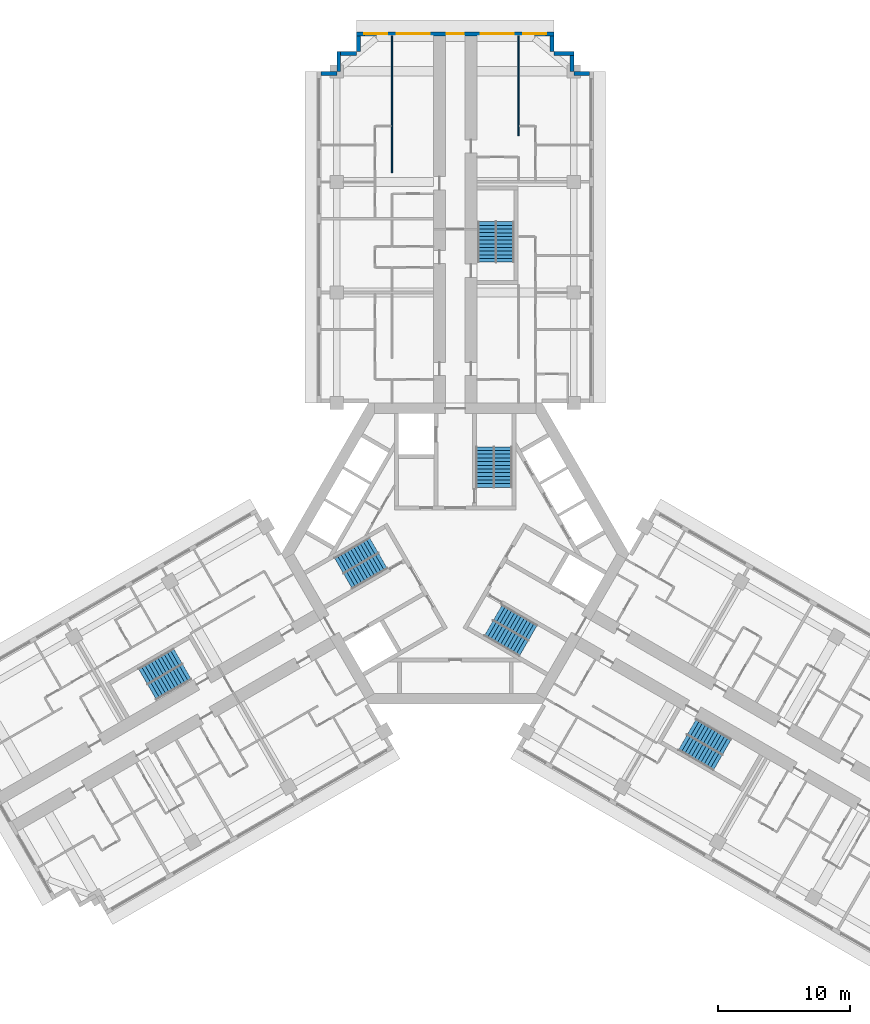
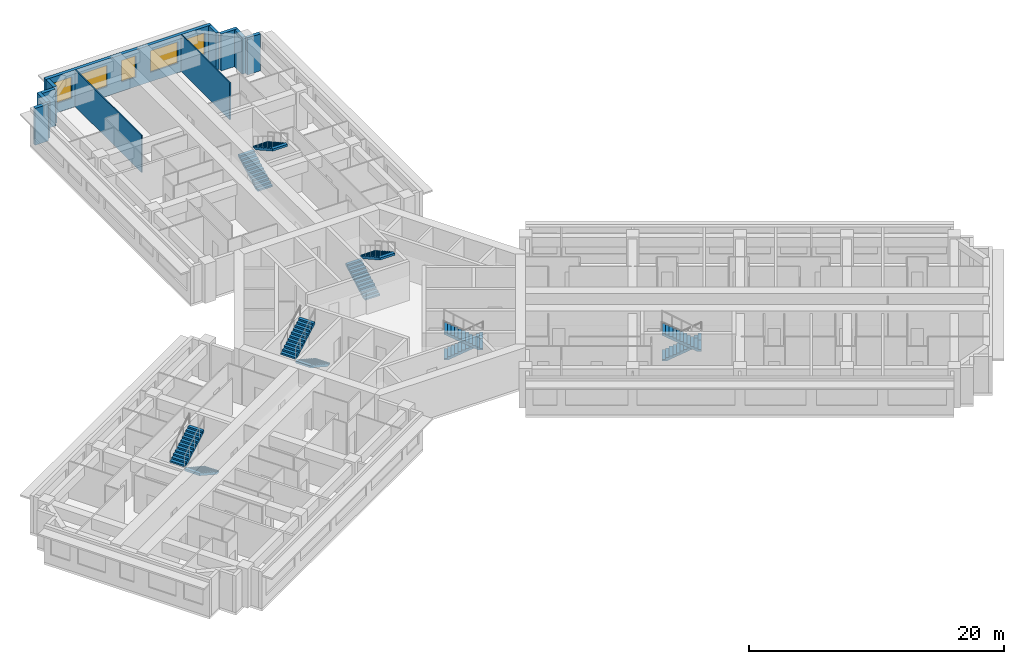
# One storey, part 12 of 13: 12 stair flights, 11 walls, 5 windows, 5 openings, 6 elements without a shape of their own.
"""IFC4 building model written with IfcOpenShell, lengths in metres."""

from ifc_helpers import new_model, si_unit, direction, frame, frame_2d, origin, place, context, subcontext, project, spatial, polyline, rectangle, outline, extrude, material, layer, layer_set, type_object, element, fill, aggregate, save


model = new_model("IFC4")

# Units and contexts
model_context = context("Model", 3, precision=1e-05, world=origin(), true_north=direction((0.0, 1.0)))
body_context = subcontext(model_context, "Body", "Model", "MODEL_VIEW")
ifc_project = project(units=[si_unit("LENGTHUNIT", "METRE"), si_unit("AREAUNIT", "SQUARE_METRE"), si_unit("VOLUMEUNIT", "CUBIC_METRE"), si_unit("PLANEANGLEUNIT", "RADIAN"), si_unit("MASSUNIT", "GRAM", prefix="KILO")], contexts=[model_context])

# Site, building, storey
site_placement = place(None, origin())
site = spatial("IfcSite", under=ifc_project, at=site_placement, CompositionType="ELEMENT")
building_placement = place(site_placement, origin())
building = spatial("IfcBuilding", under=site, at=building_placement, Name="Impinga Residences", CompositionType="ELEMENT")
storey_placement = place(building_placement, frame((0.0, 0.0, 136.0)))
storey = spatial("IfcBuildingStorey", under=building, at=storey_placement, Name="L33", CompositionType="ELEMENT", Elevation=136.0)

# Walls
ifc_material_1 = material(Name="Terracotta rainscreen on blockwork", Category="masonry")
ifc_layer_1 = layer(ifc_material_1, 0.300048828125)
ifc_layer_set_1 = layer_set([ifc_layer_1], Name="EW1 external wall, terracotta rainscreen on blockwork 300")
wall_type_1 = type_object("IfcWallType", Name="EW1 external wall, terracotta rainscreen on blockwork 300", PredefinedType="SOLIDWALL", material=ifc_layer_set_1)
wall_1_placement = place(storey_placement, frame((-10.199951171875, 36.4814453125, 0.0), z_axis=(0.0, 0.0, 1.0), x_axis=(1.0, 0.0, 0.0)))
element("IfcWall", 1, at=wall_1_placement, inside=storey, type_object=wall_type_1, Name="External wall EW1 L33", PredefinedType="SOLIDWALL", context=body_context, shape_type="SweptSolid", body=[
    extrude(rectangle(XDim=1.199951171875, YDim=0.300048828125, at=frame_2d((0.60009765625, 0.0))), origin(), (0.0, 0.0, 1.0), 3.530029296875),
])
wall_2_placement = place(storey_placement, frame((-8.85009765625, 36.636474609375, 0.0), z_axis=(0.0, 0.0, 1.0), x_axis=(0.0, 1.0, 0.0)))
element("IfcWall", 2, at=wall_2_placement, inside=storey, type_object=wall_type_1, Name="External wall EW1 L33", PredefinedType="SOLIDWALL", context=body_context, shape_type="SweptSolid", body=[
    extrude(rectangle(XDim=1.4951171875, YDim=0.300048828125, at=frame_2d((0.74755859375, 0.0))), origin(), (0.0, 0.0, 1.0), 3.530029296875),
])
wall_3_placement = place(storey_placement, frame((-8.699951171875, 37.9814453125, 0.0), z_axis=(0.0, 0.0, 1.0), x_axis=(1.0, 0.0, 0.0)))
element("IfcWall", 3, at=wall_3_placement, inside=storey, type_object=wall_type_1, Name="External wall EW1 L33", PredefinedType="SOLIDWALL", context=body_context, shape_type="SweptSolid", body=[
    extrude(rectangle(XDim=1.199951171875, YDim=0.300048828125, at=frame_2d((0.60009765625, 0.0))), origin(), (0.0, 0.0, 1.0), 3.530029296875),
])
wall_4_placement = place(storey_placement, frame((-7.35009765625, 38.136474609375, 0.0), z_axis=(0.0, 0.0, 1.0), x_axis=(0.0, 1.0, 0.0)))
element("IfcWall", 4, at=wall_4_placement, inside=storey, type_object=wall_type_1, Name="External wall EW1 L33", PredefinedType="SOLIDWALL", context=body_context, shape_type="SweptSolid", body=[
    extrude(rectangle(XDim=1.195068359375, YDim=0.300048828125, at=frame_2d((0.59765625, 0.0))), origin(), (0.0, 0.0, 1.0), 3.530029296875),
])

# Wall, openings, windows
wall_5_placement = place(storey_placement, frame((-7.5, 39.4814453125, 0.0), z_axis=(0.0, 0.0, 1.0), x_axis=(1.0, 0.0, 0.0)))
wall_5 = element("IfcWall", 5, at=wall_5_placement, inside=storey, type_object=wall_type_1, Name="External wall EW1 L33", PredefinedType="SOLIDWALL", context=body_context, shape_type="SweptSolid", body=[
    extrude(rectangle(XDim=15.0, YDim=0.300048828125, at=frame_2d((7.5, 0.0))), origin(), (0.0, 0.0, 1.0), 3.530029296875),
])
opening_1_placement = place(wall_5_placement, frame((0.60009765625, 0.0, 0.89990234375)))
opening_1 = element("IfcOpeningElement", 6, at=opening_1_placement, cuts=wall_5, Name="Opening W1", PredefinedType="OPENING", context=body_context, shape_type="SweptSolid", body=[
    extrude(rectangle(XDim=1.75, YDim=2.050048828125, at=frame_2d((0.875, 1.02490234375))), frame((0.0, 0.159912109375, 0.0), z_axis=(0.0, -1.0, 0.0), x_axis=(1.0, 0.0, 0.0)), (0.0, 0.0, 1.0), 0.320068359375),
])
opening_2_placement = place(wall_5_placement, frame((3.050048828125, 0.0, 0.89990234375)))
opening_2 = element("IfcOpeningElement", 7, at=opening_2_placement, cuts=wall_5, Name="Opening W2", PredefinedType="OPENING", context=body_context, shape_type="SweptSolid", body=[
    extrude(rectangle(XDim=2.5, YDim=2.050048828125, at=frame_2d((1.25, 1.02490234375))), frame((0.0, 0.159912109375, 0.0), z_axis=(0.0, -1.0, 0.0), x_axis=(1.0, 0.0, 0.0)), (0.0, 0.0, 1.0), 0.320068359375),
])
opening_3_placement = place(wall_5_placement, frame((6.85009765625, 0.0, 0.89990234375)))
opening_3 = element("IfcOpeningElement", 8, at=opening_3_placement, cuts=wall_5, Name="Opening W17", PredefinedType="OPENING", context=body_context, shape_type="SweptSolid", body=[
    extrude(rectangle(XDim=1.300048828125, YDim=2.050048828125, at=frame_2d((0.64990234375, 1.02490234375))), frame((0.0, 0.159912109375, 0.0), z_axis=(0.0, -1.0, 0.0), x_axis=(1.0, 0.0, 0.0)), (0.0, 0.0, 1.0), 0.320068359375),
])
opening_4_placement = place(wall_5_placement, frame((9.449951171875, 0.0, 0.89990234375)))
opening_4 = element("IfcOpeningElement", 9, at=opening_4_placement, cuts=wall_5, Name="Opening W2", PredefinedType="OPENING", context=body_context, shape_type="SweptSolid", body=[
    extrude(rectangle(XDim=2.5, YDim=2.050048828125, at=frame_2d((1.25, 1.02490234375))), frame((0.0, 0.159912109375, 0.0), z_axis=(0.0, -1.0, 0.0), x_axis=(1.0, 0.0, 0.0)), (0.0, 0.0, 1.0), 0.320068359375),
])
opening_5_placement = place(wall_5_placement, frame((12.64990234375, 0.0, 0.89990234375)))
opening_5 = element("IfcOpeningElement", 10, at=opening_5_placement, cuts=wall_5, Name="Opening W1", PredefinedType="OPENING", context=body_context, shape_type="SweptSolid", body=[
    extrude(rectangle(XDim=1.75, YDim=2.050048828125, at=frame_2d((0.875, 1.02490234375))), frame((0.0, 0.159912109375, 0.0), z_axis=(0.0, -1.0, 0.0), x_axis=(1.0, 0.0, 0.0)), (0.0, 0.0, 1.0), 0.320068359375),
])
ifc_material_2 = material(Name="Aluminium window, clear double glazing", Category="aluminium")
window_type_1 = type_object("IfcWindowType", Name="W1 ribbon window 1750x2050", PartitioningType="SINGLE_PANEL", PredefinedType="WINDOW", material=ifc_material_2)
window_1_placement = place(opening_1_placement, origin())
window_1 = element("IfcWindow", 11, at=window_1_placement, inside=storey, type_object=window_type_1, Name="Window L33", OverallHeight=2.050048828125, OverallWidth=1.75, PartitioningType="SINGLE_PANEL", PredefinedType="WINDOW", context=body_context, shape_type="SweptSolid", body=[
    extrude(rectangle(XDim=1.75, YDim=2.050048828125, at=frame_2d((0.875, 1.02490234375))), frame((0.0, 0.030029296875, 0.0), z_axis=(0.0, -1.0, 0.0), x_axis=(1.0, 0.0, 0.0)), (0.0, 0.0, 1.0), 0.06005859375),
])
fill(opening_1, window_1)
window_2_placement = place(opening_5_placement, origin())
window_2 = element("IfcWindow", 12, at=window_2_placement, inside=storey, type_object=window_type_1, Name="Window L33", OverallHeight=2.050048828125, OverallWidth=1.75, PartitioningType="SINGLE_PANEL", PredefinedType="WINDOW", context=body_context, shape_type="SweptSolid", body=[
    extrude(rectangle(XDim=1.75, YDim=2.050048828125, at=frame_2d((0.875, 1.02490234375))), frame((0.0, 0.030029296875, 0.0), z_axis=(0.0, -1.0, 0.0), x_axis=(1.0, 0.0, 0.0)), (0.0, 0.0, 1.0), 0.06005859375),
])
fill(opening_5, window_2)
window_type_2 = type_object("IfcWindowType", Name="W17 ribbon window 1300x2050", PartitioningType="SINGLE_PANEL", PredefinedType="WINDOW", material=ifc_material_2)
window_3_placement = place(opening_3_placement, origin())
window_3 = element("IfcWindow", 13, at=window_3_placement, inside=storey, type_object=window_type_2, Name="Window L33", OverallHeight=2.050048828125, OverallWidth=1.300048828125, PartitioningType="SINGLE_PANEL", PredefinedType="WINDOW", context=body_context, shape_type="SweptSolid", body=[
    extrude(rectangle(XDim=1.300048828125, YDim=2.050048828125, at=frame_2d((0.64990234375, 1.02490234375))), frame((0.0, 0.030029296875, 0.0), z_axis=(0.0, -1.0, 0.0), x_axis=(1.0, 0.0, 0.0)), (0.0, 0.0, 1.0), 0.06005859375),
])
fill(opening_3, window_3)
window_type_3 = type_object("IfcWindowType", Name="W2 ribbon window 2500x2050", PartitioningType="SINGLE_PANEL", PredefinedType="WINDOW", material=ifc_material_2)
window_4_placement = place(opening_2_placement, origin())
window_4 = element("IfcWindow", 14, at=window_4_placement, inside=storey, type_object=window_type_3, Name="Window L33", OverallHeight=2.050048828125, OverallWidth=2.5, PartitioningType="SINGLE_PANEL", PredefinedType="WINDOW", context=body_context, shape_type="SweptSolid", body=[
    extrude(rectangle(XDim=2.5, YDim=2.050048828125, at=frame_2d((1.25, 1.02490234375))), frame((0.0, 0.030029296875, 0.0), z_axis=(0.0, -1.0, 0.0), x_axis=(1.0, 0.0, 0.0)), (0.0, 0.0, 1.0), 0.06005859375),
])
fill(opening_2, window_4)
window_5_placement = place(opening_4_placement, origin())
window_5 = element("IfcWindow", 15, at=window_5_placement, inside=storey, type_object=window_type_3, Name="Window L33", OverallHeight=2.050048828125, OverallWidth=2.5, PartitioningType="SINGLE_PANEL", PredefinedType="WINDOW", context=body_context, shape_type="SweptSolid", body=[
    extrude(rectangle(XDim=2.5, YDim=2.050048828125, at=frame_2d((1.25, 1.02490234375))), frame((0.0, 0.030029296875, 0.0), z_axis=(0.0, -1.0, 0.0), x_axis=(1.0, 0.0, 0.0)), (0.0, 0.0, 1.0), 0.06005859375),
])
fill(opening_4, window_5)

# Walls
wall_6_placement = place(storey_placement, frame((7.35009765625, 39.33154296875, 0.0), z_axis=(0.0, 0.0, 1.0), x_axis=(0.0, -1.0, 0.0)))
element("IfcWall", 16, at=wall_6_placement, inside=storey, type_object=wall_type_1, Name="External wall EW1 L33", PredefinedType="SOLIDWALL", context=body_context, shape_type="SweptSolid", body=[
    extrude(rectangle(XDim=1.195068359375, YDim=0.300048828125, at=frame_2d((0.59765625, 0.0))), origin(), (0.0, 0.0, 1.0), 3.530029296875),
])
wall_7_placement = place(storey_placement, frame((7.5, 37.9814453125, 0.0), z_axis=(0.0, 0.0, 1.0), x_axis=(1.0, 0.0, 0.0)))
element("IfcWall", 17, at=wall_7_placement, inside=storey, type_object=wall_type_1, Name="External wall EW1 L33", PredefinedType="SOLIDWALL", context=body_context, shape_type="SweptSolid", body=[
    extrude(rectangle(XDim=1.5, YDim=0.300048828125, at=frame_2d((0.75, 0.0))), origin(), (0.0, 0.0, 1.0), 3.530029296875),
])
wall_8_placement = place(storey_placement, frame((8.85009765625, 37.83154296875, 0.0), z_axis=(0.0, 0.0, 1.0), x_axis=(0.0, -1.0, 0.0)))
element("IfcWall", 18, at=wall_8_placement, inside=storey, type_object=wall_type_1, Name="External wall EW1 L33", PredefinedType="SOLIDWALL", context=body_context, shape_type="SweptSolid", body=[
    extrude(rectangle(XDim=1.199951171875, YDim=0.300048828125, at=frame_2d((0.60009765625, 0.0))), origin(), (0.0, 0.0, 1.0), 3.530029296875),
])
wall_9_placement = place(storey_placement, frame((9.0048828125, 36.4814453125, 0.0), z_axis=(0.0, 0.0, 1.0), x_axis=(1.0, 0.0, 0.0)))
element("IfcWall", 19, at=wall_9_placement, inside=storey, type_object=wall_type_1, Name="External wall EW1 L33", PredefinedType="SOLIDWALL", context=body_context, shape_type="SweptSolid", body=[
    extrude(rectangle(XDim=1.195068359375, YDim=0.300048828125, at=frame_2d((0.59765625, 0.0))), origin(), (0.0, 0.0, 1.0), 3.530029296875),
])
ifc_material_3 = material(Name="Gypsum board on steel studs", Category="steel")
ifc_layer_2 = layer(ifc_material_3, 0.10009765625)
ifc_layer_set_2 = layer_set([ifc_layer_2], Name="Gypsum board on steel studs")
wall_type_2 = type_object("IfcWallType", Name="IP1 partition 100", PredefinedType="PARTITIONING", material=ifc_layer_set_2)
wall_10_placement = place(storey_placement, frame((-4.800048828125, 28.931640625, 0.0), z_axis=(0.0, 0.0, 1.0), x_axis=(0.0, 1.0, 0.0)))
element("IfcWall", 20, at=wall_10_placement, inside=storey, type_object=wall_type_2, Name="Partition L33-NA3:DIV1", PredefinedType="PARTITIONING", context=body_context, shape_type="SweptSolid", body=[
    extrude(rectangle(XDim=10.39990234375, YDim=0.10009765625, at=frame_2d((5.199951171875, 0.0))), origin(), (0.0, 0.0, 1.0), 3.530029296875),
])
wall_11_placement = place(storey_placement, frame((4.800048828125, 31.7314453125, 0.0), z_axis=(0.0, 0.0, 1.0), x_axis=(0.0, 1.0, 0.0)))
element("IfcWall", 21, at=wall_11_placement, inside=storey, type_object=wall_type_2, Name="Partition L33-NF2:DIV1", PredefinedType="PARTITIONING", context=body_context, shape_type="SweptSolid", body=[
    extrude(rectangle(XDim=7.60009765625, YDim=0.10009765625, at=frame_2d((3.800048828125, 0.0))), origin(), (0.0, 0.0, 1.0), 3.530029296875),
])

# Stair, stair flights
ifc_material_4 = material(Name="Concrete C40/50", Category="concrete")
stair_type_1 = type_object("IfcStairType", Name="STR core stair 3750 storey, 24 risers", PredefinedType="HALF_TURN_STAIR", material=ifc_material_4)
stair_1_placement = place(storey_placement, origin())
stair_1 = element("IfcStair", 22, at=stair_1_placement, inside=storey, type_object=stair_type_1, Name="Stair ST1 L33", PredefinedType="HALF_TURN_STAIR")
stair_flight_type = type_object("IfcStairFlightType", Name="SF 12 risers of 156", PredefinedType="STRAIGHT", material=ifc_material_4)
stair_flight_1_placement = place(storey_placement, frame((2.27490234375, 5.030029296875, 0.0), z_axis=(0.0, 0.0, 1.0), x_axis=(0.0, 1.0, 0.0)))
stair_flight_1 = element("IfcStairFlight", 23, at=stair_flight_1_placement, type_object=stair_flight_type, Name="ST1 flight 1", NumberOfRisers=12, NumberOfTreads=11, PredefinedType="STRAIGHT", RiserHeight=0.15625, TreadLength=0.28, context=body_context, shape_type="SweptSolid", body=[
    extrude(outline(polyline([(0.0, 0.0), (0.0, 0.15625), (0.280029296875, 0.15625), (0.280029296875, 0.3125), (0.56005859375, 0.3125), (0.56005859375, 0.46875), (0.840087890625, 0.46875), (0.840087890625, 0.625), (1.1201171875, 0.625), (1.1201171875, 0.78125), (1.39990234375, 0.78125), (1.39990234375, 0.9375), (1.679931640625, 0.9375), (1.679931640625, 1.09375), (1.9599609375, 1.09375), (1.9599609375, 1.25), (2.239990234375, 1.25), (2.239990234375, 1.40625), (2.52001953125, 1.40625), (2.52001953125, 1.5625), (2.800048828125, 1.5625), (2.800048828125, 1.71875), (3.080078125, 1.71875), (3.080078125, 1.875), (3.080078125, 1.5126953125), (0.369140625, 0.0), (0.0, 0.0)])), frame((0.0, 0.675048828125, 0.0), z_axis=(0.0, -1.0, 0.0), x_axis=(1.0, 0.0, 0.0)), (0.0, 0.0, 1.0), 1.35009765625),
])
stair_flight_2_placement = place(storey_placement, frame((3.625, 8.110107421875, 1.875), z_axis=(0.0, 0.0, 1.0), x_axis=(0.0, -1.0, 0.0)))
stair_flight_2 = element("IfcStairFlight", 24, at=stair_flight_2_placement, type_object=stair_flight_type, Name="ST1 flight 2", NumberOfRisers=12, NumberOfTreads=11, PredefinedType="STRAIGHT", RiserHeight=0.15625, TreadLength=0.28, context=body_context, shape_type="SweptSolid", body=[
    extrude(outline(polyline([(0.0, 0.0), (0.0, 0.15625), (0.280029296875, 0.15625), (0.280029296875, 0.3125), (0.56005859375, 0.3125), (0.56005859375, 0.46875), (0.840087890625, 0.46875), (0.840087890625, 0.625), (1.1201171875, 0.625), (1.1201171875, 0.78125), (1.39990234375, 0.78125), (1.39990234375, 0.9375), (1.679931640625, 0.9375), (1.679931640625, 1.09375), (1.9599609375, 1.09375), (1.9599609375, 1.25), (2.239990234375, 1.25), (2.239990234375, 1.40625), (2.52001953125, 1.40625), (2.52001953125, 1.5625), (2.800048828125, 1.5625), (2.800048828125, 1.71875), (3.080078125, 1.71875), (3.080078125, 1.875), (3.080078125, 1.5126953125), (0.369140625, 0.0), (0.0, 0.0)])), frame((0.0, 0.675048828125, 0.0), z_axis=(0.0, -1.0, 0.0), x_axis=(1.0, 0.0, 0.0)), (0.0, 0.0, 1.0), 1.35009765625),
])
aggregate(stair_1, [stair_flight_1, stair_flight_2])

stair_2_placement = place(storey_placement, origin())
stair_2 = element("IfcStair", 25, at=stair_2_placement, inside=storey, type_object=stair_type_1, Name="Stair ST2 L33", PredefinedType="HALF_TURN_STAIR")
stair_flight_3_placement = place(storey_placement, frame((-5.49365234375, -0.544677734375, 0.0), z_axis=(0.0, 0.0, 1.0), x_axis=(-0.866025403784, -0.5, 0.0)))
stair_flight_3 = element("IfcStairFlight", 26, at=stair_flight_3_placement, type_object=stair_flight_type, Name="ST2 flight 1", NumberOfRisers=12, NumberOfTreads=11, PredefinedType="STRAIGHT", RiserHeight=0.15625, TreadLength=0.28, context=body_context, shape_type="SweptSolid", body=[
    extrude(outline(polyline([(0.0, 0.0), (0.0, 0.15625), (0.280029296875, 0.15625), (0.280029296875, 0.3125), (0.56005859375, 0.3125), (0.56005859375, 0.46875), (0.840087890625, 0.46875), (0.840087890625, 0.625), (1.1201171875, 0.625), (1.1201171875, 0.78125), (1.39990234375, 0.78125), (1.39990234375, 0.9375), (1.679931640625, 0.9375), (1.679931640625, 1.09375), (1.9599609375, 1.09375), (1.9599609375, 1.25), (2.239990234375, 1.25), (2.239990234375, 1.40625), (2.52001953125, 1.40625), (2.52001953125, 1.5625), (2.800048828125, 1.5625), (2.800048828125, 1.71875), (3.080078125, 1.71875), (3.080078125, 1.875), (3.080078125, 1.5126953125), (0.369140625, 0.0), (0.0, 0.0)])), frame((0.0, 0.675048828125, 0.0), z_axis=(0.0, -1.0, 0.0), x_axis=(1.0, 0.0, 0.0)), (0.0, 0.0, 1.0), 1.35009765625),
])
stair_flight_4_placement = place(storey_placement, frame((-8.8359375, -0.915771484375, 1.875), z_axis=(0.0, 0.0, 1.0), x_axis=(0.866025403784, 0.5, 0.0)))
stair_flight_4 = element("IfcStairFlight", 27, at=stair_flight_4_placement, type_object=stair_flight_type, Name="ST2 flight 2", NumberOfRisers=12, NumberOfTreads=11, PredefinedType="STRAIGHT", RiserHeight=0.15625, TreadLength=0.28, context=body_context, shape_type="SweptSolid", body=[
    extrude(outline(polyline([(0.0, 0.0), (0.0, 0.15625), (0.280029296875, 0.15625), (0.280029296875, 0.3125), (0.56005859375, 0.3125), (0.56005859375, 0.46875), (0.840087890625, 0.46875), (0.840087890625, 0.625), (1.1201171875, 0.625), (1.1201171875, 0.78125), (1.39990234375, 0.78125), (1.39990234375, 0.9375), (1.679931640625, 0.9375), (1.679931640625, 1.09375), (1.9599609375, 1.09375), (1.9599609375, 1.25), (2.239990234375, 1.25), (2.239990234375, 1.40625), (2.52001953125, 1.40625), (2.52001953125, 1.5625), (2.800048828125, 1.5625), (2.800048828125, 1.71875), (3.080078125, 1.71875), (3.080078125, 1.875), (3.080078125, 1.5126953125), (0.369140625, 0.0), (0.0, 0.0)])), frame((0.0, 0.675048828125, 0.0), z_axis=(0.0, -1.0, 0.0), x_axis=(1.0, 0.0, 0.0)), (0.0, 0.0, 1.0), 1.35009765625),
])
aggregate(stair_2, [stair_flight_3, stair_flight_4])

stair_3_placement = place(storey_placement, origin())
stair_3 = element("IfcStair", 28, at=stair_3_placement, inside=storey, type_object=stair_type_1, Name="Stair ST3 L33", PredefinedType="HALF_TURN_STAIR")
stair_flight_5_placement = place(storey_placement, frame((3.218505859375, -4.485107421875, 0.0), z_axis=(0.0, 0.0, 1.0), x_axis=(0.866025403784, -0.5, 0.0)))
stair_flight_5 = element("IfcStairFlight", 29, at=stair_flight_5_placement, type_object=stair_flight_type, Name="ST3 flight 1", NumberOfRisers=12, NumberOfTreads=11, PredefinedType="STRAIGHT", RiserHeight=0.15625, TreadLength=0.28, context=body_context, shape_type="SweptSolid", body=[
    extrude(outline(polyline([(0.0, 0.0), (0.0, 0.15625), (0.280029296875, 0.15625), (0.280029296875, 0.3125), (0.56005859375, 0.3125), (0.56005859375, 0.46875), (0.840087890625, 0.46875), (0.840087890625, 0.625), (1.1201171875, 0.625), (1.1201171875, 0.78125), (1.39990234375, 0.78125), (1.39990234375, 0.9375), (1.679931640625, 0.9375), (1.679931640625, 1.09375), (1.9599609375, 1.09375), (1.9599609375, 1.25), (2.239990234375, 1.25), (2.239990234375, 1.40625), (2.52001953125, 1.40625), (2.52001953125, 1.5625), (2.800048828125, 1.5625), (2.800048828125, 1.71875), (3.080078125, 1.71875), (3.080078125, 1.875), (3.080078125, 1.5126953125), (0.369140625, 0.0), (0.0, 0.0)])), frame((0.0, 0.675048828125, 0.0), z_axis=(0.0, -1.0, 0.0), x_axis=(1.0, 0.0, 0.0)), (0.0, 0.0, 1.0), 1.35009765625),
])
stair_flight_6_placement = place(storey_placement, frame((5.2109375, -7.1943359375, 1.875), z_axis=(0.0, 0.0, 1.0), x_axis=(-0.866025403784, 0.5, 0.0)))
stair_flight_6 = element("IfcStairFlight", 30, at=stair_flight_6_placement, type_object=stair_flight_type, Name="ST3 flight 2", NumberOfRisers=12, NumberOfTreads=11, PredefinedType="STRAIGHT", RiserHeight=0.15625, TreadLength=0.28, context=body_context, shape_type="SweptSolid", body=[
    extrude(outline(polyline([(0.0, 0.0), (0.0, 0.15625), (0.280029296875, 0.15625), (0.280029296875, 0.3125), (0.56005859375, 0.3125), (0.56005859375, 0.46875), (0.840087890625, 0.46875), (0.840087890625, 0.625), (1.1201171875, 0.625), (1.1201171875, 0.78125), (1.39990234375, 0.78125), (1.39990234375, 0.9375), (1.679931640625, 0.9375), (1.679931640625, 1.09375), (1.9599609375, 1.09375), (1.9599609375, 1.25), (2.239990234375, 1.25), (2.239990234375, 1.40625), (2.52001953125, 1.40625), (2.52001953125, 1.5625), (2.800048828125, 1.5625), (2.800048828125, 1.71875), (3.080078125, 1.71875), (3.080078125, 1.875), (3.080078125, 1.5126953125), (0.369140625, 0.0), (0.0, 0.0)])), frame((0.0, 0.675048828125, 0.0), z_axis=(0.0, -1.0, 0.0), x_axis=(1.0, 0.0, 0.0)), (0.0, 0.0, 1.0), 1.35009765625),
])
aggregate(stair_3, [stair_flight_5, stair_flight_6])

stair_type_2 = type_object("IfcStairType", Name="STR wing stair 3750 storey, 24 risers", PredefinedType="HALF_TURN_STAIR", material=ifc_material_4)
stair_4_placement = place(storey_placement, origin())
stair_4 = element("IfcStair", 31, at=stair_4_placement, inside=storey, type_object=stair_type_2, Name="Stair WS1 L33", PredefinedType="HALF_TURN_STAIR")
stair_flight_7_placement = place(storey_placement, frame((2.425048828125, 22.131591796875, 0.0), z_axis=(0.0, 0.0, 1.0), x_axis=(0.0, 1.0, 0.0)))
stair_flight_7 = element("IfcStairFlight", 32, at=stair_flight_7_placement, type_object=stair_flight_type, Name="WS1 flight 1", NumberOfRisers=12, NumberOfTreads=11, PredefinedType="STRAIGHT", RiserHeight=0.15625, TreadLength=0.28, context=body_context, shape_type="SweptSolid", body=[
    extrude(outline(polyline([(0.0, 0.0), (0.0, 0.15625), (0.280029296875, 0.15625), (0.280029296875, 0.3125), (0.56005859375, 0.3125), (0.56005859375, 0.46875), (0.840087890625, 0.46875), (0.840087890625, 0.625), (1.1201171875, 0.625), (1.1201171875, 0.78125), (1.39990234375, 0.78125), (1.39990234375, 0.9375), (1.679931640625, 0.9375), (1.679931640625, 1.09375), (1.9599609375, 1.09375), (1.9599609375, 1.25), (2.239990234375, 1.25), (2.239990234375, 1.40625), (2.52001953125, 1.40625), (2.52001953125, 1.5625), (2.800048828125, 1.5625), (2.800048828125, 1.71875), (3.080078125, 1.71875), (3.080078125, 1.875), (3.080078125, 1.5126953125), (0.369140625, 0.0), (0.0, 0.0)])), frame((0.0, 0.675048828125, 0.0), z_axis=(0.0, -1.0, 0.0), x_axis=(1.0, 0.0, 0.0)), (0.0, 0.0, 1.0), 1.35009765625),
])
stair_flight_8_placement = place(storey_placement, frame((3.77490234375, 25.21142578125, 1.875), z_axis=(0.0, 0.0, 1.0), x_axis=(0.0, -1.0, 0.0)))
stair_flight_8 = element("IfcStairFlight", 33, at=stair_flight_8_placement, type_object=stair_flight_type, Name="WS1 flight 2", NumberOfRisers=12, NumberOfTreads=11, PredefinedType="STRAIGHT", RiserHeight=0.15625, TreadLength=0.28, context=body_context, shape_type="SweptSolid", body=[
    extrude(outline(polyline([(0.0, 0.0), (0.0, 0.15625), (0.280029296875, 0.15625), (0.280029296875, 0.3125), (0.56005859375, 0.3125), (0.56005859375, 0.46875), (0.840087890625, 0.46875), (0.840087890625, 0.625), (1.1201171875, 0.625), (1.1201171875, 0.78125), (1.39990234375, 0.78125), (1.39990234375, 0.9375), (1.679931640625, 0.9375), (1.679931640625, 1.09375), (1.9599609375, 1.09375), (1.9599609375, 1.25), (2.239990234375, 1.25), (2.239990234375, 1.40625), (2.52001953125, 1.40625), (2.52001953125, 1.5625), (2.800048828125, 1.5625), (2.800048828125, 1.71875), (3.080078125, 1.71875), (3.080078125, 1.875), (3.080078125, 1.5126953125), (0.369140625, 0.0), (0.0, 0.0)])), frame((0.0, 0.675048828125, 0.0), z_axis=(0.0, -1.0, 0.0), x_axis=(1.0, 0.0, 0.0)), (0.0, 0.0, 1.0), 1.35009765625),
])
aggregate(stair_4, [stair_flight_7, stair_flight_8])

stair_5_placement = place(storey_placement, origin())
stair_5 = element("IfcStair", 34, at=stair_5_placement, inside=storey, type_object=stair_type_2, Name="Stair WS2 L33", PredefinedType="HALF_TURN_STAIR")
stair_flight_9_placement = place(storey_placement, frame((-20.37890625, -8.965576171875, 0.0), z_axis=(0.0, 0.0, 1.0), x_axis=(-0.866025403784, -0.5, 0.0)))
stair_flight_9 = element("IfcStairFlight", 35, at=stair_flight_9_placement, type_object=stair_flight_type, Name="WS2 flight 1", NumberOfRisers=12, NumberOfTreads=11, PredefinedType="STRAIGHT", RiserHeight=0.15625, TreadLength=0.28, context=body_context, shape_type="SweptSolid", body=[
    extrude(outline(polyline([(0.0, 0.0), (0.0, 0.15625), (0.280029296875, 0.15625), (0.280029296875, 0.3125), (0.56005859375, 0.3125), (0.56005859375, 0.46875), (0.840087890625, 0.46875), (0.840087890625, 0.625), (1.1201171875, 0.625), (1.1201171875, 0.78125), (1.39990234375, 0.78125), (1.39990234375, 0.9375), (1.679931640625, 0.9375), (1.679931640625, 1.09375), (1.9599609375, 1.09375), (1.9599609375, 1.25), (2.239990234375, 1.25), (2.239990234375, 1.40625), (2.52001953125, 1.40625), (2.52001953125, 1.5625), (2.800048828125, 1.5625), (2.800048828125, 1.71875), (3.080078125, 1.71875), (3.080078125, 1.875), (3.080078125, 1.5126953125), (0.369140625, 0.0), (0.0, 0.0)])), frame((0.0, 0.675048828125, 0.0), z_axis=(0.0, -1.0, 0.0), x_axis=(1.0, 0.0, 0.0)), (0.0, 0.0, 1.0), 1.35009765625),
])
stair_flight_10_placement = place(storey_placement, frame((-23.721435546875, -9.33642578125, 1.875), z_axis=(0.0, 0.0, 1.0), x_axis=(0.866025403784, 0.5, 0.0)))
stair_flight_10 = element("IfcStairFlight", 36, at=stair_flight_10_placement, type_object=stair_flight_type, Name="WS2 flight 2", NumberOfRisers=12, NumberOfTreads=11, PredefinedType="STRAIGHT", RiserHeight=0.15625, TreadLength=0.28, context=body_context, shape_type="SweptSolid", body=[
    extrude(outline(polyline([(0.0, 0.0), (0.0, 0.15625), (0.280029296875, 0.15625), (0.280029296875, 0.3125), (0.56005859375, 0.3125), (0.56005859375, 0.46875), (0.840087890625, 0.46875), (0.840087890625, 0.625), (1.1201171875, 0.625), (1.1201171875, 0.78125), (1.39990234375, 0.78125), (1.39990234375, 0.9375), (1.679931640625, 0.9375), (1.679931640625, 1.09375), (1.9599609375, 1.09375), (1.9599609375, 1.25), (2.239990234375, 1.25), (2.239990234375, 1.40625), (2.52001953125, 1.40625), (2.52001953125, 1.5625), (2.800048828125, 1.5625), (2.800048828125, 1.71875), (3.080078125, 1.71875), (3.080078125, 1.875), (3.080078125, 1.5126953125), (0.369140625, 0.0), (0.0, 0.0)])), frame((0.0, 0.675048828125, 0.0), z_axis=(0.0, -1.0, 0.0), x_axis=(1.0, 0.0, 0.0)), (0.0, 0.0, 1.0), 1.35009765625),
])
aggregate(stair_5, [stair_flight_9, stair_flight_10])

stair_6_placement = place(storey_placement, origin())
stair_6 = element("IfcStair", 37, at=stair_6_placement, inside=storey, type_object=stair_type_2, Name="Stair WS3 L33", PredefinedType="HALF_TURN_STAIR")
stair_flight_11_placement = place(storey_placement, frame((17.953857421875, -13.165771484375, 0.0), z_axis=(0.0, 0.0, 1.0), x_axis=(0.866025403784, -0.5, 0.0)))
stair_flight_11 = element("IfcStairFlight", 38, at=stair_flight_11_placement, type_object=stair_flight_type, Name="WS3 flight 1", NumberOfRisers=12, NumberOfTreads=11, PredefinedType="STRAIGHT", RiserHeight=0.15625, TreadLength=0.28, context=body_context, shape_type="SweptSolid", body=[
    extrude(outline(polyline([(0.0, 0.0), (0.0, 0.15625), (0.280029296875, 0.15625), (0.280029296875, 0.3125), (0.56005859375, 0.3125), (0.56005859375, 0.46875), (0.840087890625, 0.46875), (0.840087890625, 0.625), (1.1201171875, 0.625), (1.1201171875, 0.78125), (1.39990234375, 0.78125), (1.39990234375, 0.9375), (1.679931640625, 0.9375), (1.679931640625, 1.09375), (1.9599609375, 1.09375), (1.9599609375, 1.25), (2.239990234375, 1.25), (2.239990234375, 1.40625), (2.52001953125, 1.40625), (2.52001953125, 1.5625), (2.800048828125, 1.5625), (2.800048828125, 1.71875), (3.080078125, 1.71875), (3.080078125, 1.875), (3.080078125, 1.5126953125), (0.369140625, 0.0), (0.0, 0.0)])), frame((0.0, 0.675048828125, 0.0), z_axis=(0.0, -1.0, 0.0), x_axis=(1.0, 0.0, 0.0)), (0.0, 0.0, 1.0), 1.35009765625),
])
stair_flight_12_placement = place(storey_placement, frame((19.9462890625, -15.875, 1.875), z_axis=(0.0, 0.0, 1.0), x_axis=(-0.866025403784, 0.5, 0.0)))
stair_flight_12 = element("IfcStairFlight", 39, at=stair_flight_12_placement, type_object=stair_flight_type, Name="WS3 flight 2", NumberOfRisers=12, NumberOfTreads=11, PredefinedType="STRAIGHT", RiserHeight=0.15625, TreadLength=0.28, context=body_context, shape_type="SweptSolid", body=[
    extrude(outline(polyline([(0.0, 0.0), (0.0, 0.15625), (0.280029296875, 0.15625), (0.280029296875, 0.3125), (0.56005859375, 0.3125), (0.56005859375, 0.46875), (0.840087890625, 0.46875), (0.840087890625, 0.625), (1.1201171875, 0.625), (1.1201171875, 0.78125), (1.39990234375, 0.78125), (1.39990234375, 0.9375), (1.679931640625, 0.9375), (1.679931640625, 1.09375), (1.9599609375, 1.09375), (1.9599609375, 1.25), (2.239990234375, 1.25), (2.239990234375, 1.40625), (2.52001953125, 1.40625), (2.52001953125, 1.5625), (2.800048828125, 1.5625), (2.800048828125, 1.71875), (3.080078125, 1.71875), (3.080078125, 1.875), (3.080078125, 1.5126953125), (0.369140625, 0.0), (0.0, 0.0)])), frame((0.0, 0.675048828125, 0.0), z_axis=(0.0, -1.0, 0.0), x_axis=(1.0, 0.0, 0.0)), (0.0, 0.0, 1.0), 1.35009765625),
])
aggregate(stair_6, [stair_flight_11, stair_flight_12])

save(model, "model.ifc")
